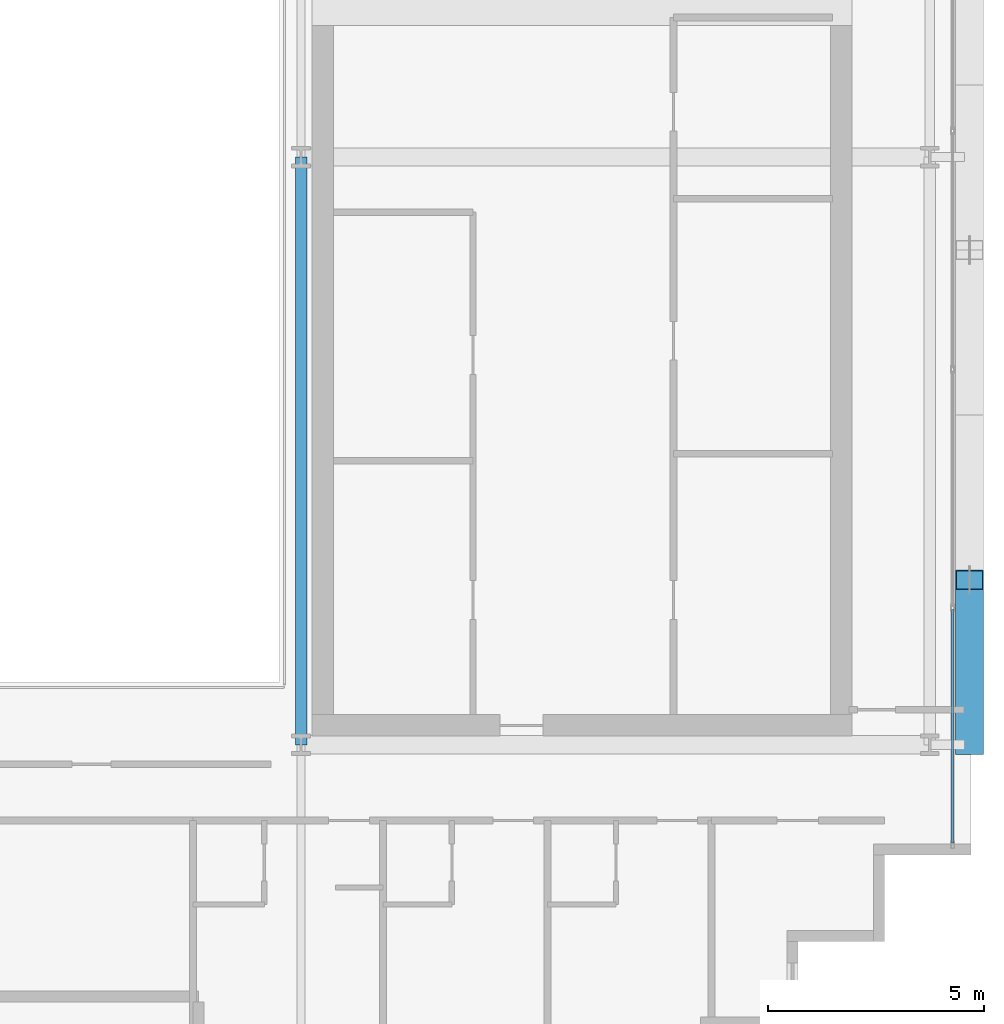
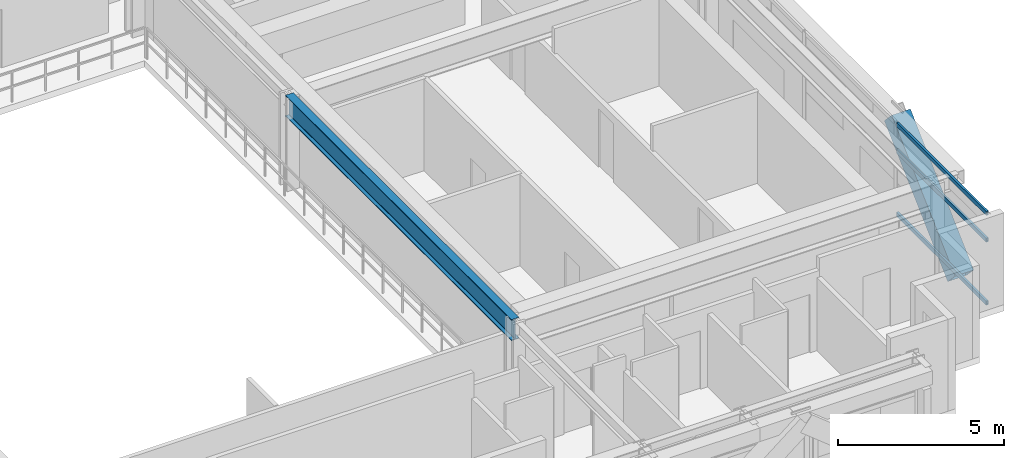
# One storey, part 11 of 31: 4 members, 1 beam, 1 element without a shape of its own.
"""IFC4 building model written with IfcOpenShell, lengths in metres."""

from ifc_helpers import new_model, si_unit, direction, frame, origin, origin_2d, place, context, subcontext, project, spatial, hollow_rectangle, i_section, extrude, source, transform, mapped, material, layer, layer_set, material_profile, profile_set, type_object, element, aggregate, save


model = new_model("IFC4")

# Units and contexts
model_context = context("Model", 3, precision=1e-05, world=origin(), true_north=direction((0.0, 1.0)))
body_context = subcontext(model_context, "Body", "Model", "MODEL_VIEW")
ifc_project = project(units=[si_unit("LENGTHUNIT", "METRE"), si_unit("AREAUNIT", "SQUARE_METRE"), si_unit("VOLUMEUNIT", "CUBIC_METRE"), si_unit("PLANEANGLEUNIT", "RADIAN"), si_unit("MASSUNIT", "GRAM", prefix="KILO")], contexts=[model_context])

# Site, building, storey
site_placement = place(None, origin())
site = spatial("IfcSite", under=ifc_project, at=site_placement, CompositionType="ELEMENT")
building_placement = place(site_placement, origin())
building = spatial("IfcBuilding", under=site, at=building_placement, Name="Ocotamira Hotel", CompositionType="ELEMENT")
storey_placement = place(building_placement, frame((0.0, 0.0, 210.0)))
storey = spatial("IfcBuildingStorey", under=building, at=storey_placement, Name="L53", CompositionType="ELEMENT", Elevation=210.0)

# Beam
ifc_material_1 = material(Name="Steel ASTM A992 Grade 50", Category="steel")
ifc_material_profile_1 = material_profile(ifc_material_1, i_section(OverallWidth=0.26611328125, OverallDepth=0.779052734375, WebThickness=0.0166015625, FlangeThickness=0.030029296875, FilletRadius=0.01806640625, at=origin_2d()), Name="W30X148")
ifc_profile_set_1 = profile_set([ifc_material_profile_1], Name="Steel ASTM A992 Grade 50")
beam_type = type_object("IfcBeamType", Name="BM-GIRD-W30X148", PredefinedType="BEAM", material=ifc_profile_set_1)
shared_shape_1 = source(origin(), body_context, "Body", "SweptSolid", [
    extrude(i_section(OverallWidth=0.26611328125, OverallDepth=0.779052734375, WebThickness=0.0166015625, FlangeThickness=0.030029296875, FilletRadius=0.01806640625, at=origin_2d()), origin(), (0.0, 0.0, 1.0), 13.599853515625),
])
beam_placement = place(storey_placement, frame((40.5, 14.550048828125, 2.98046875), z_axis=(0.0, 1.0, 0.0), x_axis=(-1.0, 0.0, 0.0)))
element("IfcBeam", 1, at=beam_placement, inside=storey, type_object=beam_type, Name="L53 Beam X40.5 Y14.55-28.15", PredefinedType="BEAM", context=body_context, shape_type="MappedRepresentation", body=[
    mapped(shared_shape_1, transform((0.0, 0.0, 0.0), scale=1.0)),
])

# Member
ifc_material_2 = material(Name="Pale-metal coated steel ASTM A913 Grade 65", Category="steel")
ifc_material_profile_2 = material_profile(ifc_material_2, hollow_rectangle(XDim=0.64990234375, YDim=0.64990234375, WallThickness=0.02197265625, at=origin_2d()), Name="BOX650X650X22")
ifc_profile_set_2 = profile_set([ifc_material_profile_2], Name="Pale-metal coated steel ASTM A913 Grade 65")
member_type_1 = type_object("IfcMemberType", Name="MEM-EXO-BOX650", PredefinedType="BRACE", material=ifc_profile_set_2)
shared_shape_2 = source(origin(), body_context, "Body", "SweptSolid", [
    extrude(hollow_rectangle(XDim=0.64990234375, YDim=0.64990234375, WallThickness=0.02197265625, at=origin_2d()), origin(), (0.0, 0.0, 1.0), 5.24658203125),
])
member_1_placement = place(storey_placement, frame((55.969970703125, 14.550048828125, -0.47998046875), z_axis=(0.0, 0.727442733726, 0.686168397078), x_axis=(-1.0, 0.0, 0.0)))
element("IfcMember", 2, at=member_1_placement, inside=storey, type_object=member_type_1, Name="L53 Exoskeleton Diagrid E0.1", PredefinedType="BRACE", context=body_context, shape_type="MappedRepresentation", body=[
    mapped(shared_shape_2, transform((0.0, 0.0, 0.0), scale=1.0)),
])

# Curtain wall, members
ifc_material_3 = material(Name="Anodised pale-metal aluminium and solar glass", Category="aluminium")
ifc_layer = layer(ifc_material_3, 0.199951171875)
ifc_layer_set = layer_set([ifc_layer], Name="Anodised pale-metal aluminium and solar glass")
curtain_wall_type = type_object("IfcCurtainWallType", Name="CW-SYS4-Z3", PredefinedType="NOTDEFINED", material=ifc_layer_set)
curtain_wall_placement = place(storey_placement, origin())
curtain_wall = element("IfcCurtainWall", 3, at=curtain_wall_placement, inside=storey, type_object=curtain_wall_type, Name="L53 Curtain Wall CW-4 CW-L53-E", PredefinedType="NOTDEFINED")
ifc_material_4 = material(Name="Anodised pale-metal aluminium 6063-T6", Category="aluminium")
ifc_material_profile_3 = material_profile(ifc_material_4, hollow_rectangle(XDim=0.074951171875, YDim=0.14990234375, WallThickness=0.006103515625, at=origin_2d()), Name="HSS150X75X6")
ifc_profile_set_3 = profile_set([ifc_material_profile_3], Name="Anodised pale-metal aluminium 6063-T6")
member_type_2 = type_object("IfcMemberType", Name="CWT-150X75", PredefinedType="USERDEFINED", material=ifc_profile_set_3)
shared_shape_3 = source(origin(), body_context, "Body", "SweptSolid", [
    extrude(hollow_rectangle(XDim=0.074951171875, YDim=0.14990234375, WallThickness=0.006103515625, at=origin_2d()), origin(), (0.0, 0.0, 1.0), 5.39990234375),
])
member_2_placement = place(storey_placement, frame((55.580078125, 12.280029296875, 0.03759765625), z_axis=(0.0, 1.0, 0.0), x_axis=(-1.0, 0.0, 0.0)))
member_2 = element("IfcMember", 4, at=member_2_placement, type_object=member_type_2, Name="CW-4 transom 1.1", ObjectType="TRANSOM", PredefinedType="USERDEFINED", context=body_context, shape_type="MappedRepresentation", body=[
    mapped(shared_shape_3, transform((0.0, 0.0, 0.0), scale=1.0)),
])
member_3_placement = place(storey_placement, frame((55.580078125, 12.280029296875, 2.35009765625), z_axis=(0.0, 1.0, 0.0), x_axis=(-1.0, 0.0, 0.0)))
member_3 = element("IfcMember", 5, at=member_3_placement, type_object=member_type_2, Name="CW-4 transom 1.2", ObjectType="TRANSOM", PredefinedType="USERDEFINED", context=body_context, shape_type="MappedRepresentation", body=[
    mapped(shared_shape_3, transform((0.0, 0.0, 0.0), scale=1.0)),
])
member_4_placement = place(storey_placement, frame((55.580078125, 12.280029296875, 3.33251953125), z_axis=(0.0, 1.0, 0.0), x_axis=(-1.0, 0.0, 0.0)))
member_4 = element("IfcMember", 6, at=member_4_placement, type_object=member_type_2, Name="CW-4 transom 1.3", ObjectType="TRANSOM", PredefinedType="USERDEFINED", context=body_context, shape_type="MappedRepresentation", body=[
    mapped(shared_shape_3, transform((0.0, 0.0, 0.0), scale=1.0)),
])
aggregate(curtain_wall, [member_2, member_3, member_4])

save(model, "model.ifc")
